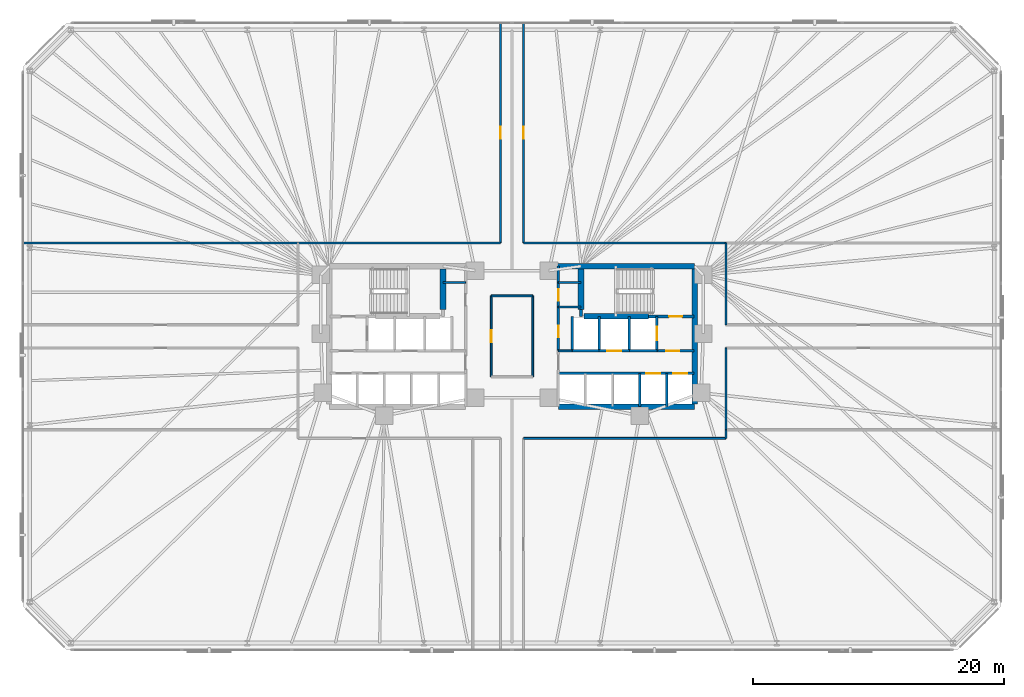
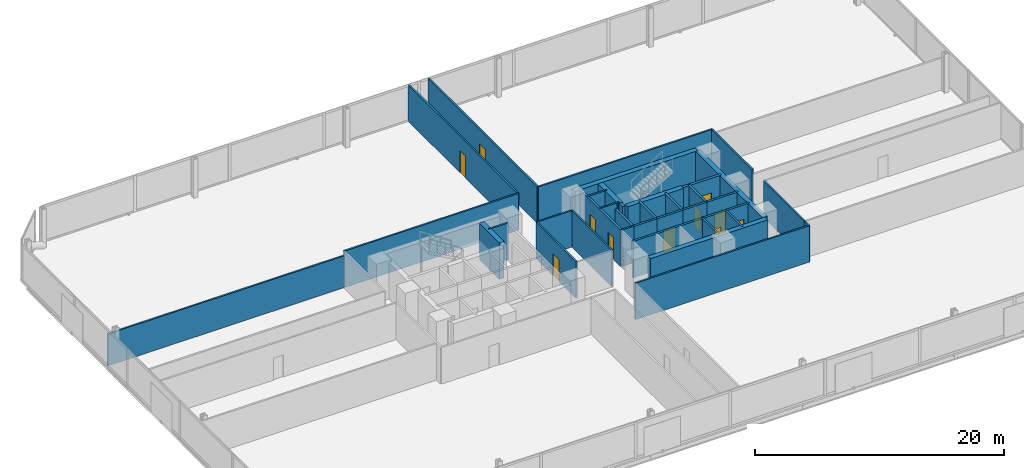
# One storey, part 13 of 16: 36 walls, 11 doors, 11 openings.
"""IFC4 building model written with IfcOpenShell, lengths in metres."""

from ifc_helpers import new_model, si_unit, direction, frame, frame_2d, origin, place, context, subcontext, project, spatial, rectangle, extrude, material, layer, layer_set, type_object, element, fill, save


model = new_model("IFC4")

# Units and contexts
model_context = context("Model", 3, precision=1e-05, world=origin(), true_north=direction((0.0, 1.0)))
body_context = subcontext(model_context, "Body", "Model", "MODEL_VIEW")
ifc_project = project(units=[si_unit("LENGTHUNIT", "METRE"), si_unit("AREAUNIT", "SQUARE_METRE"), si_unit("VOLUMEUNIT", "CUBIC_METRE"), si_unit("PLANEANGLEUNIT", "RADIAN"), si_unit("MASSUNIT", "GRAM", prefix="KILO")], contexts=[model_context])

# Site, building, storey
site_placement = place(None, origin())
site = spatial("IfcSite", under=ifc_project, at=site_placement, CompositionType="ELEMENT")
building_placement = place(site_placement, origin())
building = spatial("IfcBuilding", under=site, at=building_placement, Name="Menara Jurai Vektor", CompositionType="ELEMENT")
storey_placement = place(building_placement, frame((0.0, 0.0, 40.800048828125)))
storey = spatial("IfcBuildingStorey", under=building, at=storey_placement, Name="L09", CompositionType="ELEMENT", Elevation=40.800048828125)

# Wall, opening, door
ifc_material_1 = material(Name="Concrete C40/50", Category="concrete")
ifc_layer_1 = layer(ifc_material_1, 0.25)
ifc_layer_set_1 = layer_set([ifc_layer_1], Name="Concrete C40/50")
wall_type_1 = type_object("IfcWallType", Name="INT-WALL-CORE-250", PredefinedType="STANDARD", material=ifc_layer_set_1)
wall_1_placement = place(storey_placement, frame((10.89990234375, 1.60009765625, 0.0), z_axis=(0.0, 0.0, 1.0), x_axis=(1.0, 0.0, 0.0)))
wall_1 = element("IfcWall", 1, at=wall_1_placement, inside=storey, type_object=wall_type_1, Name="Interior Wall IW-250 L09", PredefinedType="STANDARD", context=body_context, shape_type="SweptSolid", body=[
    extrude(rectangle(XDim=3.60009765625, YDim=0.25, at=frame_2d((1.800048828125, 0.0))), origin(), (0.0, 0.0, 1.0), 3.574951171875),
])
opening_1_placement = place(wall_1_placement, frame((1.6201171875, 0.0, 0.0)))
opening_1 = element("IfcOpeningElement", 2, at=opening_1_placement, cuts=wall_1, Name="Opening D-L09-ST2", PredefinedType="OPENING", context=body_context, shape_type="SweptSolid", body=[
    extrude(rectangle(XDim=1.050048828125, YDim=2.14990234375, at=frame_2d((0.52490234375, 1.074951171875))), frame((0.0, 0.135009765625, 0.0), z_axis=(0.0, -1.0, 0.0), x_axis=(1.0, 0.0, 0.0)), (0.0, 0.0, 1.0), 0.27001953125),
])
ifc_material_2 = material(Name="Fire-Rated Steel Door", Category="steel")
door_type_1 = type_object("IfcDoorType", Name="DR-STAIR-1050", OperationType="NOTDEFINED", PredefinedType="DOOR", material=ifc_material_2)
door_1_placement = place(opening_1_placement, origin())
door_1 = element("IfcDoor", 3, at=door_1_placement, inside=storey, type_object=door_type_1, Name="Exit Stair ST2 Door L09", OperationType="SINGLE_SWING_LEFT", OverallHeight=2.14990234375, OverallWidth=1.050048828125, PredefinedType="DOOR", context=body_context, shape_type="SweptSolid", body=[
    extrude(rectangle(XDim=1.050048828125, YDim=2.14990234375, at=frame_2d((0.52490234375, 1.074951171875))), frame((0.0, 0.02490234375, 0.0), z_axis=(0.0, -1.0, 0.0), x_axis=(1.0, 0.0, 0.0)), (0.0, 0.0, 1.0), 0.050048828125),
])
fill(opening_1, door_1)

# Wall
wall_2_placement = place(storey_placement, frame((5.5, 1.60009765625, 0.0), z_axis=(0.0, 0.0, 1.0), x_axis=(0.0, 1.0, 0.0)))
element("IfcWall", 4, at=wall_2_placement, inside=storey, type_object=wall_type_1, Name="Interior Wall IW-250 L09", PredefinedType="STANDARD", context=body_context, shape_type="SweptSolid", body=[
    extrude(rectangle(XDim=0.5498046875, YDim=0.25, at=frame_2d((0.27490234375, 0.0))), origin(), (0.0, 0.0, 1.0), 3.574951171875),
])

# Wall, opening, door
wall_3_placement = place(storey_placement, frame((11.550048828125, -1.14990234375, 0.0), z_axis=(0.0, 0.0, 1.0), x_axis=(0.0, 1.0, 0.0)))
wall_3 = element("IfcWall", 5, at=wall_3_placement, inside=storey, type_object=wall_type_1, Name="Interior Wall IW-250 L09", PredefinedType="STANDARD", context=body_context, shape_type="SweptSolid", body=[
    extrude(rectangle(XDim=2.75, YDim=0.199951171875, at=frame_2d((1.375, 0.0))), origin(), (0.0, 0.0, 1.0), 3.574951171875),
])
opening_2_placement = place(wall_3_placement, frame((0.824951171875, 0.0, 0.0)))
opening_2 = element("IfcOpeningElement", 6, at=opening_2_placement, cuts=wall_3, Name="Opening LD-L09-FL2", PredefinedType="OPENING", context=body_context, shape_type="SweptSolid", body=[
    extrude(rectangle(XDim=1.10009765625, YDim=2.14990234375, at=frame_2d((0.550048828125, 1.074951171875))), frame((0.0, 0.10986328125, 0.0), z_axis=(0.0, -1.0, 0.0), x_axis=(1.0, 0.0, 0.0)), (0.0, 0.0, 1.0), 0.219970703125),
])
ifc_material_3 = material(Name="Stainless Steel Sliding Lift Landing Door", Category="steel")
door_type_2 = type_object("IfcDoorType", Name="DR-LIFT-FIRE-1100", OperationType="NOTDEFINED", PredefinedType="DOOR", material=ifc_material_3)
door_2_placement = place(opening_2_placement, origin())
door_2 = element("IfcDoor", 7, at=door_2_placement, inside=storey, type_object=door_type_2, Name="Lift Landing Door FL2 L09", OperationType="SLIDING_TO_RIGHT", OverallHeight=2.14990234375, OverallWidth=1.10009765625, PredefinedType="DOOR", context=body_context, shape_type="SweptSolid", body=[
    extrude(rectangle(XDim=1.10009765625, YDim=2.14990234375, at=frame_2d((0.550048828125, 1.074951171875))), frame((0.0, 0.02490234375, 0.0), z_axis=(0.0, -1.0, 0.0), x_axis=(1.0, 0.0, 0.0)), (0.0, 0.0, 1.0), 0.050048828125),
])
fill(opening_2, door_2)

# Wall
wall_4_placement = place(storey_placement, frame((9.35009765625, -1.14990234375, 0.0), z_axis=(0.0, 0.0, 1.0), x_axis=(0.0, 1.0, 0.0)))
element("IfcWall", 8, at=wall_4_placement, inside=storey, type_object=wall_type_1, Name="Interior Wall IW-250 L09", PredefinedType="STANDARD", context=body_context, shape_type="SweptSolid", body=[
    extrude(rectangle(XDim=2.75, YDim=0.199951171875, at=frame_2d((1.375, 0.0))), origin(), (0.0, 0.0, 1.0), 3.574951171875),
])

# Wall, opening, door
wall_5_placement = place(storey_placement, frame((11.550048828125, -1.14990234375, 0.0), z_axis=(0.0, 0.0, 1.0), x_axis=(1.0, 0.0, 0.0)))
wall_5 = element("IfcWall", 9, at=wall_5_placement, inside=storey, type_object=wall_type_1, Name="Interior Wall IW-250 L09", PredefinedType="STANDARD", context=body_context, shape_type="SweptSolid", body=[
    extrude(rectangle(XDim=2.949951171875, YDim=0.199951171875, at=frame_2d((1.47509765625, 0.0))), origin(), (0.0, 0.0, 1.0), 3.574951171875),
])
opening_3_placement = place(wall_5_placement, frame((0.75, 0.0, 0.0)))
opening_3 = element("IfcOpeningElement", 10, at=opening_3_placement, cuts=wall_5, Name="Opening D-L09-FFE", PredefinedType="OPENING", context=body_context, shape_type="SweptSolid", body=[
    extrude(rectangle(XDim=1.050048828125, YDim=2.179931640625, at=frame_2d((0.52490234375, 1.08984375))), frame((0.0, 0.10986328125, 0.0), z_axis=(0.0, -1.0, 0.0), x_axis=(1.0, 0.0, 0.0)), (0.0, 0.0, 1.0), 0.219970703125),
])
ifc_material_4 = material(Name="Fire-Rated Timber Door", Category="wood")
door_type_3 = type_object("IfcDoorType", Name="DR-LOBBY-1050", OperationType="NOTDEFINED", PredefinedType="DOOR", material=ifc_material_4)
door_3_placement = place(opening_3_placement, origin())
door_3 = element("IfcDoor", 11, at=door_3_placement, inside=storey, type_object=door_type_3, Name="Fire Lift Lobby Door E L09", OperationType="SINGLE_SWING_LEFT", OverallHeight=2.179931640625, OverallWidth=1.050048828125, PredefinedType="DOOR", context=body_context, shape_type="SweptSolid", body=[
    extrude(rectangle(XDim=1.050048828125, YDim=2.179931640625, at=frame_2d((0.52490234375, 1.08984375))), frame((0.0, 0.02490234375, 0.0), z_axis=(0.0, -1.0, 0.0), x_axis=(1.0, 0.0, 0.0)), (0.0, 0.0, 1.0), 0.050048828125),
])
fill(opening_3, door_3)

# Walls
wall_6_placement = place(storey_placement, frame((9.35009765625, -1.14990234375, 0.0), z_axis=(0.0, 0.0, 1.0), x_axis=(1.0, 0.0, 0.0)))
element("IfcWall", 12, at=wall_6_placement, inside=storey, type_object=wall_type_1, Name="Interior Wall IW-250 L09", PredefinedType="STANDARD", context=body_context, shape_type="SweptSolid", body=[
    extrude(rectangle(XDim=2.199951171875, YDim=0.199951171875, at=frame_2d((1.10009765625, 0.0))), origin(), (0.0, 0.0, 1.0), 3.574951171875),
])
ifc_material_5 = material(Name="Gypsum Fireboard Partition", Category="gypsum")
ifc_layer_2 = layer(ifc_material_5, 0.14990234375)
ifc_layer_set_2 = layer_set([ifc_layer_2], Name="Gypsum Fireboard Partition")
wall_type_2 = type_object("IfcWallType", Name="INT-WALL-CORR-150", PredefinedType="PARTITIONING", material=ifc_layer_set_2)
wall_7_placement = place(storey_placement, frame((3.699951171875, -1.14990234375, 0.0), z_axis=(0.0, 0.0, 1.0), x_axis=(1.0, 0.0, 0.0)))
element("IfcWall", 13, at=wall_7_placement, inside=storey, type_object=wall_type_2, Name="Interior Wall IW-150 L09", PredefinedType="PARTITIONING", context=body_context, shape_type="SweptSolid", body=[
    extrude(rectangle(XDim=1.090087890625, YDim=0.14990234375, at=frame_2d((0.544921875, 0.0))), origin(), (0.0, 0.0, 1.0), 3.574951171875),
])
for number, where, z_axis, x_axis, name in (
    (14, (-5.5, 4.300048828125, 0.0), (0.0, 0.0, 1.0), (1.0, 0.0, 0.0), "Interior Wall IW-150 L09"),
    (15, (3.699951171875, 4.300048828125, 0.0), (0.0, 0.0, 1.0), (1.0, 0.0, 0.0), "Interior Wall IW-150 L09"),
    (16, (3.699951171875, 2.35009765625, 0.0), (0.0, 0.0, 1.0), (1.0, 0.0, 0.0), "Interior Wall IW-150 L09"),
):
    element("IfcWall", number, at=place(storey_placement, frame(where, z_axis=z_axis, x_axis=x_axis)), inside=storey, type_object=wall_type_2, Name=name, PredefinedType="PARTITIONING", context=body_context, shape_type="SweptSolid", body=[
        extrude(rectangle(XDim=1.800048828125, YDim=0.14990234375, at=frame_2d((0.89990234375, 0.0))), origin(), (0.0, 0.0, 1.0), 3.574951171875),
    ])

# Wall, opening, door
wall_8_placement = place(storey_placement, frame((-1.64990234375, -3.22998046875, 0.0), z_axis=(0.0, 0.0, 1.0), x_axis=(0.0, 1.0, 0.0)))
wall_8 = element("IfcWall", 17, at=wall_8_placement, inside=storey, type_object=wall_type_2, Name="Interior Wall IW-150 L09", PredefinedType="PARTITIONING", context=body_context, shape_type="SweptSolid", body=[
    extrude(rectangle(XDim=6.4599609375, YDim=0.14990234375, at=frame_2d((3.22998046875, 0.0))), origin(), (0.0, 0.0, 1.0), 3.574951171875),
])
opening_4_placement = place(wall_8_placement, frame((2.7548828125, 0.0, 0.0)))
opening_4 = element("IfcOpeningElement", 18, at=opening_4_placement, cuts=wall_8, Name="Opening D09-04", PredefinedType="OPENING", context=body_context, shape_type="SweptSolid", body=[
    extrude(rectangle(XDim=0.949951171875, YDim=2.14990234375, at=frame_2d((0.47509765625, 1.074951171875))), frame((0.0, 0.0849609375, 0.0), z_axis=(0.0, -1.0, 0.0), x_axis=(1.0, 0.0, 0.0)), (0.0, 0.0, 1.0), 0.169921875),
])
ifc_material_6 = material(Name="Solid Core Timber Fire Door", Category="wood")
door_type_4 = type_object("IfcDoorType", Name="DR-ENTRY-950", OperationType="NOTDEFINED", PredefinedType="DOOR", material=ifc_material_6)
door_4_placement = place(opening_4_placement, origin())
door_4 = element("IfcDoor", 19, at=door_4_placement, inside=storey, type_object=door_type_4, Name="Interior Door D09-04", OperationType="SINGLE_SWING_LEFT", OverallHeight=2.14990234375, OverallWidth=0.949951171875, PredefinedType="DOOR", context=body_context, shape_type="SweptSolid", body=[
    extrude(rectangle(XDim=0.949951171875, YDim=2.14990234375, at=frame_2d((0.47509765625, 1.074951171875))), frame((0.0, 0.02490234375, 0.0), z_axis=(0.0, -1.0, 0.0), x_axis=(1.0, 0.0, 0.0)), (0.0, 0.0, 1.0), 0.050048828125),
])
fill(opening_4, door_4)

# Walls
wall_9_placement = place(storey_placement, frame((-1.64990234375, 3.22998046875, 0.0), z_axis=(0.0, 0.0, 1.0), x_axis=(1.0, 0.0, 0.0)))
element("IfcWall", 20, at=wall_9_placement, inside=storey, type_object=wall_type_2, Name="Interior Wall IW-150 L09", PredefinedType="PARTITIONING", context=body_context, shape_type="SweptSolid", body=[
    extrude(rectangle(XDim=3.2998046875, YDim=0.14990234375, at=frame_2d((1.64990234375, 0.0))), origin(), (0.0, 0.0, 1.0), 3.574951171875),
])
wall_10_placement = place(storey_placement, frame((1.64990234375, -3.22998046875, 0.0), z_axis=(0.0, 0.0, 1.0), x_axis=(0.0, 1.0, 0.0)))
element("IfcWall", 21, at=wall_10_placement, inside=storey, type_object=wall_type_2, Name="Interior Wall IW-150 L09", PredefinedType="PARTITIONING", context=body_context, shape_type="SweptSolid", body=[
    extrude(rectangle(XDim=6.4599609375, YDim=0.14990234375, at=frame_2d((3.22998046875, 0.0))), origin(), (0.0, 0.0, 1.0), 3.574951171875),
])
wall_11_placement = place(storey_placement, frame((-17.05908203125, 7.449951171875, 0.0), z_axis=(0.0, 0.0, 1.0), x_axis=(1.0, 0.0, 0.0)))
element("IfcWall", 22, at=wall_11_placement, inside=storey, type_object=wall_type_2, Name="Interior Wall IW-150 L09", PredefinedType="PARTITIONING", context=body_context, shape_type="SweptSolid", body=[
    extrude(rectangle(XDim=16.13916015625, YDim=0.14990234375, at=frame_2d((8.069580078125, 0.0))), origin(), (0.0, 0.0, 1.0), 3.574951171875),
])

# Wall, opening, door
wall_12_placement = place(storey_placement, frame((-0.919921875, 7.449951171875, 0.0), z_axis=(0.0, 0.0, 1.0), x_axis=(0.0, 1.0, 0.0)))
wall_12 = element("IfcWall", 23, at=wall_12_placement, inside=storey, type_object=wall_type_2, Name="Interior Wall IW-150 L09", PredefinedType="PARTITIONING", context=body_context, shape_type="SweptSolid", body=[
    extrude(rectangle(XDim=17.550048828125, YDim=0.14990234375, at=frame_2d((8.77490234375, 0.0))), origin(), (0.0, 0.0, 1.0), 3.574951171875),
])
opening_5_placement = place(wall_12_placement, frame((8.300048828125, 0.0, 0.0)))
opening_5 = element("IfcOpeningElement", 24, at=opening_5_placement, cuts=wall_12, Name="Opening D09-05", PredefinedType="OPENING", context=body_context, shape_type="SweptSolid", body=[
    extrude(rectangle(XDim=0.949951171875, YDim=2.14990234375, at=frame_2d((0.47509765625, 1.074951171875))), frame((0.0, 0.0849609375, 0.0), z_axis=(0.0, -1.0, 0.0), x_axis=(1.0, 0.0, 0.0)), (0.0, 0.0, 1.0), 0.169921875),
])
door_5_placement = place(opening_5_placement, origin())
door_5 = element("IfcDoor", 25, at=door_5_placement, inside=storey, type_object=door_type_4, Name="Interior Door D09-05", OperationType="SINGLE_SWING_RIGHT", OverallHeight=2.14990234375, OverallWidth=0.949951171875, PredefinedType="DOOR", context=body_context, shape_type="SweptSolid", body=[
    extrude(rectangle(XDim=0.949951171875, YDim=2.14990234375, at=frame_2d((0.47509765625, 1.074951171875))), frame((0.0, 0.02490234375, 0.0), z_axis=(0.0, -1.0, 0.0), x_axis=(1.0, 0.0, 0.0)), (0.0, 0.0, 1.0), 0.050048828125),
])
fill(opening_5, door_5)

wall_13_placement = place(storey_placement, frame((0.919921875, 7.449951171875, 0.0), z_axis=(0.0, 0.0, 1.0), x_axis=(0.0, 1.0, 0.0)))
wall_13 = element("IfcWall", 26, at=wall_13_placement, inside=storey, type_object=wall_type_2, Name="Interior Wall IW-150 L09", PredefinedType="PARTITIONING", context=body_context, shape_type="SweptSolid", body=[
    extrude(rectangle(XDim=17.550048828125, YDim=0.14990234375, at=frame_2d((8.77490234375, 0.0))), origin(), (0.0, 0.0, 1.0), 3.574951171875),
])
opening_6_placement = place(wall_13_placement, frame((8.300048828125, 0.0, 0.0)))
opening_6 = element("IfcOpeningElement", 27, at=opening_6_placement, cuts=wall_13, Name="Opening D09-06", PredefinedType="OPENING", context=body_context, shape_type="SweptSolid", body=[
    extrude(rectangle(XDim=0.949951171875, YDim=2.14990234375, at=frame_2d((0.47509765625, 1.074951171875))), frame((0.0, 0.0849609375, 0.0), z_axis=(0.0, -1.0, 0.0), x_axis=(1.0, 0.0, 0.0)), (0.0, 0.0, 1.0), 0.169921875),
])
door_6_placement = place(opening_6_placement, origin())
door_6 = element("IfcDoor", 28, at=door_6_placement, inside=storey, type_object=door_type_4, Name="Interior Door D09-06", OperationType="SINGLE_SWING_LEFT", OverallHeight=2.14990234375, OverallWidth=0.949951171875, PredefinedType="DOOR", context=body_context, shape_type="SweptSolid", body=[
    extrude(rectangle(XDim=0.949951171875, YDim=2.14990234375, at=frame_2d((0.47509765625, 1.074951171875))), frame((0.0, 0.02490234375, 0.0), z_axis=(0.0, -1.0, 0.0), x_axis=(1.0, 0.0, 0.0)), (0.0, 0.0, 1.0), 0.050048828125),
])
fill(opening_6, door_6)

# Walls
for number, where, z_axis, x_axis, name in (
    (29, (0.919921875, 7.449951171875, 0.0), (0.0, 0.0, 1.0), (1.0, 0.0, 0.0), "Interior Wall IW-150 L09"),
    (30, (0.919921875, -8.1298828125, 0.0), (0.0, 0.0, 1.0), (1.0, 0.0, 0.0), "Interior Wall IW-150 L09"),
):
    element("IfcWall", number, at=place(storey_placement, frame(where, z_axis=z_axis, x_axis=x_axis)), inside=storey, type_object=wall_type_2, Name=name, PredefinedType="PARTITIONING", context=body_context, shape_type="SweptSolid", body=[
        extrude(rectangle(XDim=16.13916015625, YDim=0.14990234375, at=frame_2d((8.069580078125, 0.0))), origin(), (0.0, 0.0, 1.0), 3.574951171875),
    ])
wall_14_placement = place(storey_placement, frame((17.05908203125, -8.1298828125, 0.0), z_axis=(0.0, 0.0, 1.0), x_axis=(0.0, 1.0, 0.0)))
element("IfcWall", 31, at=wall_14_placement, inside=storey, type_object=wall_type_2, Name="Interior Wall IW-150 L09", PredefinedType="PARTITIONING", context=body_context, shape_type="SweptSolid", body=[
    extrude(rectangle(XDim=0.679931640625, YDim=0.14990234375, at=frame_2d((0.33984375, 0.0))), origin(), (0.0, 0.0, 1.0), 3.574951171875),
])
for number, where, z_axis, x_axis, name in (
    (32, (17.05908203125, -7.449951171875, 0.0), (0.0, 0.0, 1.0), (0.0, 1.0, 0.0), "Interior Wall IW-150 L09"),
    (33, (17.05908203125, 0.919921875, 0.0), (0.0, 0.0, 1.0), (0.0, 1.0, 0.0), "Interior Wall IW-150 L09"),
):
    element("IfcWall", number, at=place(storey_placement, frame(where, z_axis=z_axis, x_axis=x_axis)), inside=storey, type_object=wall_type_2, Name=name, PredefinedType="PARTITIONING", context=body_context, shape_type="SweptSolid", body=[
        extrude(rectangle(XDim=6.530029296875, YDim=0.14990234375, at=frame_2d((3.26513671875, 0.0))), origin(), (0.0, 0.0, 1.0), 3.574951171875),
    ])
ifc_layer_3 = layer(ifc_material_5, 0.14990234375)
ifc_layer_set_3 = layer_set([ifc_layer_3], Name="Gypsum Fireboard Partition")
wall_type_3 = type_object("IfcWallType", Name="INT-WALL-CORR-150-H1", PredefinedType="PARTITIONING", material=ifc_layer_set_3)
wall_15_placement = place(storey_placement, frame((-39.0, 7.449951171875, 0.0), z_axis=(0.0, 0.0, 1.0), x_axis=(1.0, 0.0, 0.0)))
element("IfcWall", 34, at=wall_15_placement, inside=storey, type_object=wall_type_3, Name="Interior Wall IW-150 L09", PredefinedType="PARTITIONING", context=body_context, shape_type="SweptSolid", body=[
    extrude(rectangle(XDim=21.94091796875, YDim=0.14990234375, at=frame_2d((10.970458984375, 0.0))), origin(), (0.0, 0.0, 1.0), 3.125),
])

# Wall, openings, doors
ifc_layer_4 = layer(ifc_material_1, 0.199951171875)
ifc_layer_set_4 = layer_set([ifc_layer_4], Name="Concrete C40/50")
wall_type_4 = type_object("IfcWallType", Name="INT-WALL-SHAFT-200", PredefinedType="STANDARD", material=ifc_layer_set_4)
wall_16_placement = place(storey_placement, frame((3.699951171875, -1.14990234375, 0.0), z_axis=(0.0, 0.0, 1.0), x_axis=(0.0, 1.0, 0.0)))
wall_16 = element("IfcWall", 35, at=wall_16_placement, inside=storey, type_object=wall_type_4, Name="Interior Wall IW-200 L09", PredefinedType="STANDARD", context=body_context, shape_type="SweptSolid", body=[
    extrude(rectangle(XDim=6.75, YDim=0.199951171875, at=frame_2d((3.375, 0.0))), origin(), (0.0, 0.0, 1.0), 3.574951171875),
])
opening_7_placement = place(wall_16_placement, frame((1.10009765625, 0.0, 0.0)))
opening_7 = element("IfcOpeningElement", 36, at=opening_7_placement, cuts=wall_16, Name="Opening D09-02", PredefinedType="OPENING", context=body_context, shape_type="SweptSolid", body=[
    extrude(rectangle(XDim=0.89990234375, YDim=2.14990234375, at=frame_2d((0.449951171875, 1.074951171875))), frame((0.0, 0.10986328125, 0.0), z_axis=(0.0, -1.0, 0.0), x_axis=(1.0, 0.0, 0.0)), (0.0, 0.0, 1.0), 0.219970703125),
])
opening_8_placement = place(wall_16_placement, frame((4.0, 0.0, 0.0)))
opening_8 = element("IfcOpeningElement", 37, at=opening_8_placement, cuts=wall_16, Name="Opening D09-03", PredefinedType="OPENING", context=body_context, shape_type="SweptSolid", body=[
    extrude(rectangle(XDim=0.919921875, YDim=2.14990234375, at=frame_2d((0.4599609375, 1.074951171875))), frame((0.0, 0.10986328125, 0.0), z_axis=(0.0, -1.0, 0.0), x_axis=(1.0, 0.0, 0.0)), (0.0, 0.0, 1.0), 0.219970703125),
])
door_7_placement = place(opening_7_placement, origin())
door_7 = element("IfcDoor", 38, at=door_7_placement, inside=storey, type_object=door_type_4, Name="Interior Door D09-02", OperationType="SINGLE_SWING_RIGHT", OverallHeight=2.14990234375, OverallWidth=0.89990234375, PredefinedType="DOOR", context=body_context, shape_type="SweptSolid", body=[
    extrude(rectangle(XDim=0.89990234375, YDim=2.14990234375, at=frame_2d((0.449951171875, 1.074951171875))), frame((0.0, 0.02490234375, 0.0), z_axis=(0.0, -1.0, 0.0), x_axis=(1.0, 0.0, 0.0)), (0.0, 0.0, 1.0), 0.050048828125),
])
fill(opening_7, door_7)
door_8_placement = place(opening_8_placement, origin())
door_8 = element("IfcDoor", 39, at=door_8_placement, inside=storey, type_object=door_type_4, Name="Interior Door D09-03", OperationType="SINGLE_SWING_RIGHT", OverallHeight=2.14990234375, OverallWidth=0.919921875, PredefinedType="DOOR", context=body_context, shape_type="SweptSolid", body=[
    extrude(rectangle(XDim=0.919921875, YDim=2.14990234375, at=frame_2d((0.4599609375, 1.074951171875))), frame((0.0, 0.02490234375, 0.0), z_axis=(0.0, -1.0, 0.0), x_axis=(1.0, 0.0, 0.0)), (0.0, 0.0, 1.0), 0.050048828125),
])
fill(opening_8, door_8)

# Wall
wall_17_placement = place(storey_placement, frame((6.949951171875, -1.14990234375, 0.0), z_axis=(0.0, 0.0, 1.0), x_axis=(0.0, 1.0, 0.0)))
element("IfcWall", 40, at=wall_17_placement, inside=storey, type_object=wall_type_4, Name="Interior Wall IW-200 L09", PredefinedType="STANDARD", context=body_context, shape_type="SweptSolid", body=[
    extrude(rectangle(XDim=2.75, YDim=0.199951171875, at=frame_2d((1.375, 0.0))), origin(), (0.0, 0.0, 1.0), 3.574951171875),
])

# Wall, opening, door
wall_18_placement = place(storey_placement, frame((6.949951171875, -1.14990234375, 0.0), z_axis=(0.0, 0.0, 1.0), x_axis=(1.0, 0.0, 0.0)))
wall_18 = element("IfcWall", 41, at=wall_18_placement, inside=storey, type_object=wall_type_4, Name="Interior Wall IW-200 L09", PredefinedType="STANDARD", context=body_context, shape_type="SweptSolid", body=[
    extrude(rectangle(XDim=2.400146484375, YDim=0.199951171875, at=frame_2d((1.2001953125, 0.0))), origin(), (0.0, 0.0, 1.0), 3.574951171875),
])
opening_9_placement = place(wall_18_placement, frame((0.64990234375, 0.0, 0.0)))
opening_9 = element("IfcOpeningElement", 42, at=opening_9_placement, cuts=wall_18, Name="Opening LD-L09-SVL2", PredefinedType="OPENING", context=body_context, shape_type="SweptSolid", body=[
    extrude(rectangle(XDim=1.10009765625, YDim=2.14990234375, at=frame_2d((0.550048828125, 1.074951171875))), frame((0.0, 0.10986328125, 0.0), z_axis=(0.0, -1.0, 0.0), x_axis=(1.0, 0.0, 0.0)), (0.0, 0.0, 1.0), 0.219970703125),
])
ifc_material_7 = material(Name="Anodised Stainless Sliding Lift Landing Door", Category="steel")
door_type_5 = type_object("IfcDoorType", Name="DR-LIFT-PASS-1100", OperationType="NOTDEFINED", PredefinedType="DOOR", material=ifc_material_7)
door_9_placement = place(opening_9_placement, origin())
door_9 = element("IfcDoor", 43, at=door_9_placement, inside=storey, type_object=door_type_5, Name="Lift Landing Door SVL2 L09", OperationType="SLIDING_TO_RIGHT", OverallHeight=2.14990234375, OverallWidth=1.10009765625, PredefinedType="DOOR", context=body_context, shape_type="SweptSolid", body=[
    extrude(rectangle(XDim=1.10009765625, YDim=2.14990234375, at=frame_2d((0.550048828125, 1.074951171875))), frame((0.0, 0.02490234375, 0.0), z_axis=(0.0, -1.0, 0.0), x_axis=(1.0, 0.0, 0.0)), (0.0, 0.0, 1.0), 0.050048828125),
])
fill(opening_9, door_9)

# Walls
wall_19_placement = place(storey_placement, frame((4.7900390625, -1.14990234375, 0.0), z_axis=(0.0, 0.0, 1.0), x_axis=(0.0, 1.0, 0.0)))
element("IfcWall", 44, at=wall_19_placement, inside=storey, type_object=wall_type_4, Name="Interior Wall IW-200 L09", PredefinedType="STANDARD", context=body_context, shape_type="SweptSolid", body=[
    extrude(rectangle(XDim=2.75, YDim=0.199951171875, at=frame_2d((1.375, 0.0))), origin(), (0.0, 0.0, 1.0), 3.574951171875),
])
wall_20_placement = place(storey_placement, frame((4.7900390625, -1.14990234375, 0.0), z_axis=(0.0, 0.0, 1.0), x_axis=(1.0, 0.0, 0.0)))
element("IfcWall", 45, at=wall_20_placement, inside=storey, type_object=wall_type_4, Name="Interior Wall IW-200 L09", PredefinedType="STANDARD", context=body_context, shape_type="SweptSolid", body=[
    extrude(rectangle(XDim=2.159912109375, YDim=0.199951171875, at=frame_2d((1.080078125, 0.0))), origin(), (0.0, 0.0, 1.0), 3.574951171875),
])

# Wall, openings, doors
wall_21_placement = place(storey_placement, frame((3.699951171875, -2.949951171875, 0.0), z_axis=(0.0, 0.0, 1.0), x_axis=(1.0, 0.0, 0.0)))
wall_21 = element("IfcWall", 46, at=wall_21_placement, inside=storey, type_object=wall_type_4, Name="Interior Wall IW-200 L09", PredefinedType="STANDARD", context=body_context, shape_type="SweptSolid", body=[
    extrude(rectangle(XDim=10.800048828125, YDim=0.199951171875, at=frame_2d((5.39990234375, 0.0))), origin(), (0.0, 0.0, 1.0), 3.574951171875),
])
opening_10_placement = place(wall_21_placement, frame((7.010009765625, 0.0, 0.0)))
opening_10 = element("IfcOpeningElement", 47, at=opening_10_placement, cuts=wall_21, Name="Opening LD-L09-PL3", PredefinedType="OPENING", context=body_context, shape_type="SweptSolid", body=[
    extrude(rectangle(XDim=1.10009765625, YDim=2.14990234375, at=frame_2d((0.550048828125, 1.074951171875))), frame((0.0, 0.10986328125, 0.0), z_axis=(0.0, -1.0, 0.0), x_axis=(1.0, 0.0, 0.0)), (0.0, 0.0, 1.0), 0.219970703125),
])
opening_11_placement = place(wall_21_placement, frame((9.169921875, 0.0, 0.0)))
opening_11 = element("IfcOpeningElement", 48, at=opening_11_placement, cuts=wall_21, Name="Opening LD-L09-PL4", PredefinedType="OPENING", context=body_context, shape_type="SweptSolid", body=[
    extrude(rectangle(XDim=1.10009765625, YDim=2.14990234375, at=frame_2d((0.550048828125, 1.074951171875))), frame((0.0, 0.10986328125, 0.0), z_axis=(0.0, -1.0, 0.0), x_axis=(1.0, 0.0, 0.0)), (0.0, 0.0, 1.0), 0.219970703125),
])
door_10_placement = place(opening_10_placement, origin())
door_10 = element("IfcDoor", 49, at=door_10_placement, inside=storey, type_object=door_type_5, Name="Lift Landing Door PL3 L09", OperationType="SLIDING_TO_RIGHT", OverallHeight=2.14990234375, OverallWidth=1.10009765625, PredefinedType="DOOR", context=body_context, shape_type="SweptSolid", body=[
    extrude(rectangle(XDim=1.10009765625, YDim=2.14990234375, at=frame_2d((0.550048828125, 1.074951171875))), frame((0.0, 0.02490234375, 0.0), z_axis=(0.0, -1.0, 0.0), x_axis=(1.0, 0.0, 0.0)), (0.0, 0.0, 1.0), 0.050048828125),
])
fill(opening_10, door_10)
door_11_placement = place(opening_11_placement, origin())
door_11 = element("IfcDoor", 50, at=door_11_placement, inside=storey, type_object=door_type_5, Name="Lift Landing Door PL4 L09", OperationType="SLIDING_TO_LEFT", OverallHeight=2.14990234375, OverallWidth=1.10009765625, PredefinedType="DOOR", context=body_context, shape_type="SweptSolid", body=[
    extrude(rectangle(XDim=1.10009765625, YDim=2.14990234375, at=frame_2d((0.550048828125, 1.074951171875))), frame((0.0, 0.02490234375, 0.0), z_axis=(0.0, -1.0, 0.0), x_axis=(1.0, 0.0, 0.0)), (0.0, 0.0, 1.0), 0.050048828125),
])
fill(opening_11, door_11)

# Walls
for number, where, z_axis, x_axis, name in (
    (51, (12.340087890625, -5.60009765625, 0.0), (0.0, 0.0, 1.0), (0.0, 1.0, 0.0), "Interior Wall IW-200 L09"),
    (52, (10.179931640625, -5.60009765625, 0.0), (0.0, 0.0, 1.0), (0.0, 1.0, 0.0), "Interior Wall IW-200 L09"),
):
    element("IfcWall", number, at=place(storey_placement, frame(where, z_axis=z_axis, x_axis=x_axis)), inside=storey, type_object=wall_type_4, Name=name, PredefinedType="STANDARD", context=body_context, shape_type="SweptSolid", body=[
        extrude(rectangle(XDim=2.650146484375, YDim=0.179931640625, at=frame_2d((1.3251953125, 0.0))), origin(), (0.0, 0.0, 1.0), 3.574951171875),
    ])
ifc_material_8 = material(Name="Concrete C60/75", Category="concrete")
ifc_layer_5 = layer(ifc_material_8, 0.449951171875)
ifc_layer_set_5 = layer_set([ifc_layer_5], Name="Concrete C60/75")
wall_type_5 = type_object("IfcWallType", Name="STR-WALL-CORE450", PredefinedType="SHEAR", material=ifc_layer_set_5)
wall_22_placement = place(storey_placement, frame((-5.5, 2.14990234375, 0.0), z_axis=(0.0, 0.0, 1.0), x_axis=(0.0, 1.0, 0.0)))
element("IfcWall", 53, at=wall_22_placement, inside=storey, type_object=wall_type_5, Name="Core Shear Wall CW-W-ST L09", PredefinedType="SHEAR", context=body_context, shape_type="SweptSolid", body=[
    extrude(rectangle(XDim=3.22509765625, YDim=0.449951171875, at=frame_2d((1.612548828125, 0.0))), origin(), (0.0, 0.0, 1.0), 3.574951171875),
])
wall_23_placement = place(storey_placement, frame((3.14990234375, 5.60009765625, 0.0), z_axis=(0.0, 0.0, 1.0), x_axis=(1.0, 0.0, 0.0)))
element("IfcWall", 54, at=wall_23_placement, inside=storey, type_object=wall_type_5, Name="Core Shear Wall CW-E-N L09", PredefinedType="SHEAR", context=body_context, shape_type="SweptSolid", body=[
    extrude(rectangle(XDim=11.41015625, YDim=0.449951171875, at=frame_2d((5.705078125, 0.0))), origin(), (0.0, 0.0, 1.0), 3.574951171875),
])
wall_24_placement = place(storey_placement, frame((3.699951171875, -5.60009765625, 0.0), z_axis=(0.0, 0.0, 1.0), x_axis=(1.0, 0.0, 0.0)))
element("IfcWall", 55, at=wall_24_placement, inside=storey, type_object=wall_type_5, Name="Core Shear Wall CW-E-S L09", PredefinedType="SHEAR", context=body_context, shape_type="SweptSolid", body=[
    extrude(rectangle(XDim=10.860107421875, YDim=0.449951171875, at=frame_2d((5.43017578125, 0.0))), origin(), (0.0, 0.0, 1.0), 3.574951171875),
])
wall_25_placement = place(storey_placement, frame((14.56005859375, -5.375, 0.0), z_axis=(0.0, 0.0, 1.0), x_axis=(0.0, 1.0, 0.0)))
element("IfcWall", 56, at=wall_25_placement, inside=storey, type_object=wall_type_5, Name="Core Shear Wall CW-E-E L09", PredefinedType="SHEAR", context=body_context, shape_type="SweptSolid", body=[
    extrude(rectangle(XDim=10.75, YDim=0.449951171875, at=frame_2d((5.375, 0.0))), origin(), (0.0, 0.0, 1.0), 3.574951171875),
])
wall_26_placement = place(storey_placement, frame((5.5, 2.14990234375, 0.0), z_axis=(0.0, 0.0, 1.0), x_axis=(0.0, 1.0, 0.0)))
element("IfcWall", 57, at=wall_26_placement, inside=storey, type_object=wall_type_5, Name="Core Shear Wall CW-E-ST L09", PredefinedType="SHEAR", context=body_context, shape_type="SweptSolid", body=[
    extrude(rectangle(XDim=3.22509765625, YDim=0.449951171875, at=frame_2d((1.612548828125, 0.0))), origin(), (0.0, 0.0, 1.0), 3.574951171875),
])
wall_27_placement = place(storey_placement, frame((5.75, 1.60009765625, 0.0), z_axis=(0.0, 0.0, 1.0), x_axis=(1.0, 0.0, 0.0)))
element("IfcWall", 58, at=wall_27_placement, inside=storey, type_object=wall_type_5, Name="Core Shear Wall CW-E-STS L09", PredefinedType="SHEAR", context=body_context, shape_type="SweptSolid", body=[
    extrude(rectangle(XDim=5.14990234375, YDim=0.449951171875, at=frame_2d((2.574951171875, 0.0))), origin(), (0.0, 0.0, 1.0), 3.574951171875),
])

save(model, "model.ifc")
